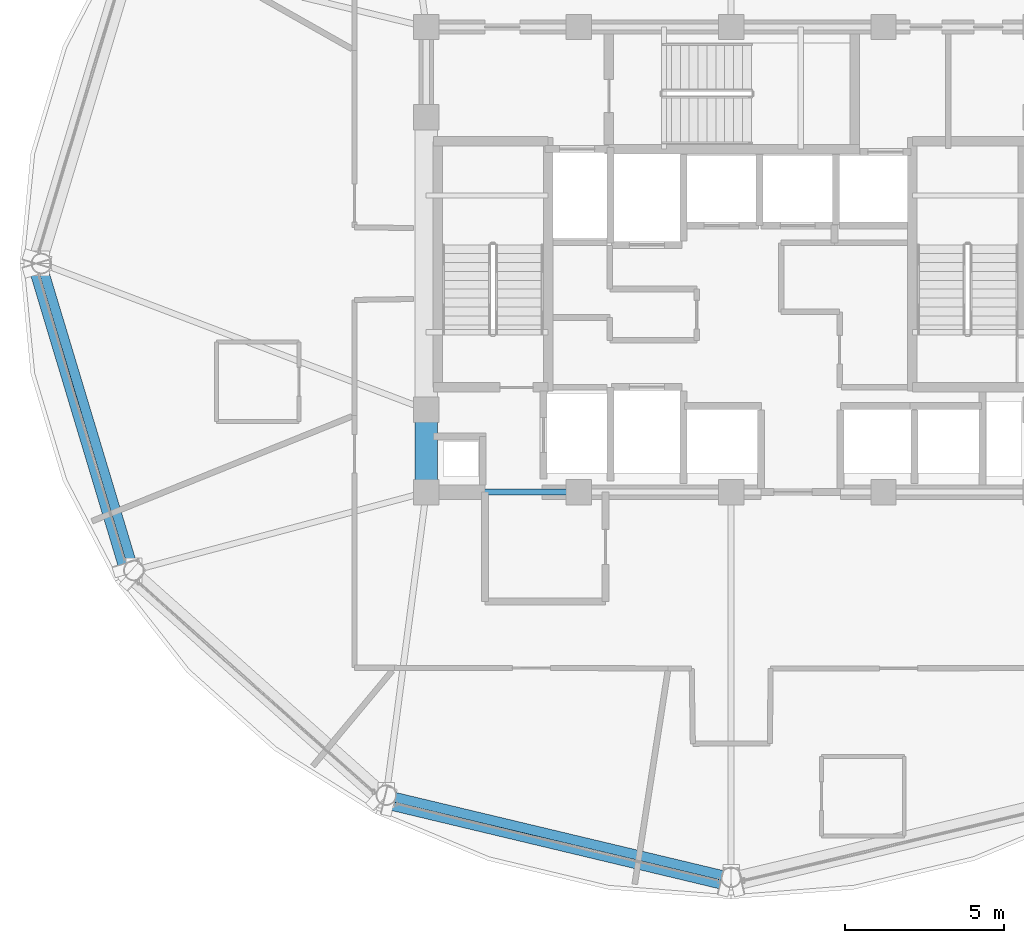
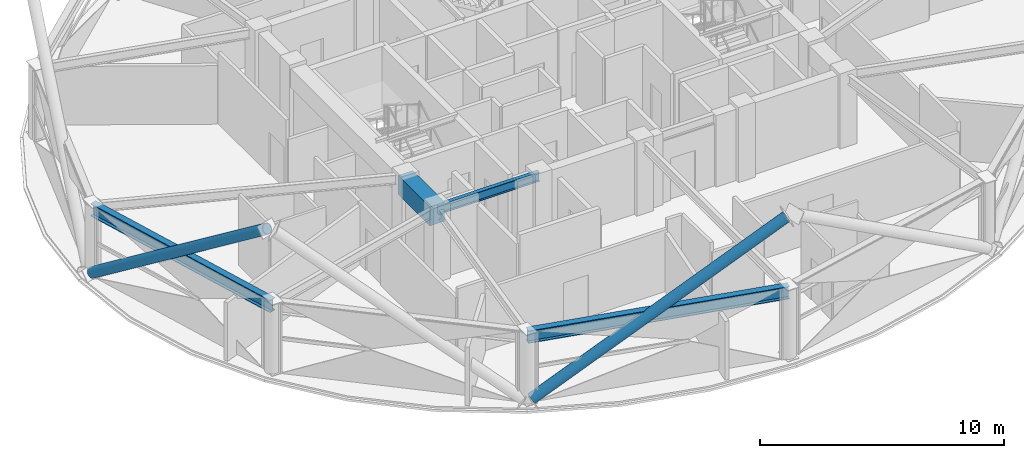
# One storey, part 4 of 28: 4 beams, 2 members.
"""IFC4 building model written with IfcOpenShell, lengths in metres."""

from ifc_helpers import new_model, si_unit, direction, frame, origin, origin_2d, place, context, subcontext, project, spatial, rectangle, hollow_circle, i_section, extrude, material, material_profile, profile_set, type_object, element, save


model = new_model("IFC4")

# Units and contexts
model_context = context("Model", 3, precision=1e-05, world=origin(), true_north=direction((0.0, 1.0)))
body_context = subcontext(model_context, "Body", "Model", "MODEL_VIEW")
ifc_project = project(units=[si_unit("LENGTHUNIT", "METRE"), si_unit("AREAUNIT", "SQUARE_METRE"), si_unit("VOLUMEUNIT", "CUBIC_METRE"), si_unit("PLANEANGLEUNIT", "RADIAN"), si_unit("MASSUNIT", "GRAM", prefix="KILO")], contexts=[model_context])

# Site, building, storey
site_placement = place(None, origin())
site = spatial("IfcSite", under=ifc_project, at=site_placement, CompositionType="ELEMENT")
building_placement = place(site_placement, origin())
building = spatial("IfcBuilding", under=site, at=building_placement, Name="Vantalir Tower", CompositionType="ELEMENT")
storey_placement = place(building_placement, frame((0.0, 0.0, 242.39990234375)))
storey = spatial("IfcBuildingStorey", under=building, at=storey_placement, Name="L61", CompositionType="ELEMENT", Elevation=242.39990234375)

# Beams
ifc_material_1 = material(Name="Concrete C60/75", Category="concrete")
ifc_material_profile_1 = material_profile(ifc_material_1, rectangle(XDim=0.699951171875, YDim=0.949951171875, at=origin_2d()), Name="Concrete C60/75")
ifc_profile_set_1 = profile_set([ifc_material_profile_1], Name="Concrete C60/75")
beam_type_1 = type_object("IfcBeamType", Name="BM-CB-700x950", PredefinedType="USERDEFINED", material=ifc_profile_set_1)
beam_1_placement = place(storey_placement, frame((21.89990234375, 20.39990234375, 3.09521484375), z_axis=(0.0, -1.0, 0.0), x_axis=(1.0, 0.0, 0.0)))
element("IfcBeam", 1, at=beam_1_placement, inside=storey, type_object=beam_type_1, Name="L61 Core Coupling Girder 14", ObjectType="GIRDER", PredefinedType="USERDEFINED", context=body_context, shape_type="SweptSolid", body=[
    extrude(rectangle(XDim=0.699951171875, YDim=0.949951171875, at=origin_2d()), origin(), (0.0, 0.0, 1.0), 2.599853515625),
])
ifc_material_2 = material(Name="Steel S355", Category="steel")
ifc_material_profile_2 = material_profile(ifc_material_2, i_section(OverallWidth=0.19189453125, OverallDepth=0.462890625, WebThickness=0.010498046875, FlangeThickness=0.017578125, at=origin_2d()), Name="Steel S355")
ifc_profile_set_2 = profile_set([ifc_material_profile_2], Name="Steel S355")
beam_type_2 = type_object("IfcBeamType", Name="BM-RB-457x191", PredefinedType="BEAM", material=ifc_profile_set_2)
beam_2_placement = place(storey_placement, frame((21.89990234375, 17.800048828125, 3.338134765625), z_axis=(1.0, 0.0, 0.0), x_axis=(0.0, 1.0, 0.0)))
element("IfcBeam", 2, at=beam_2_placement, inside=storey, type_object=beam_type_2, Name="L61 Core Coupling Girder 01", PredefinedType="BEAM", context=body_context, shape_type="SweptSolid", body=[
    extrude(i_section(OverallWidth=0.19189453125, OverallDepth=0.462890625, WebThickness=0.010498046875, FlangeThickness=0.017578125, at=origin_2d()), origin(), (0.0, 0.0, 1.0), 4.800048828125),
])
ifc_material_3 = material(Name="Steel S460", Category="steel")
ifc_material_profile_3 = material_profile(ifc_material_3, i_section(OverallWidth=0.306884765625, OverallDepth=0.6201171875, WebThickness=0.01416015625, FlangeThickness=0.023681640625, at=origin_2d()), Name="Steel S460")
ifc_profile_set_3 = profile_set([ifc_material_profile_3], Name="Steel S460")
beam_type_3 = type_object("IfcBeamType", Name="BM-RG-610x305", PredefinedType="USERDEFINED", material=ifc_profile_set_3)
beam_3_placement = place(storey_placement, frame((9.781982421875, 25.0, 3.260009765625), z_axis=(0.288239655449, -0.957558301633, 0.0), x_axis=(0.957558301633, 0.288239655449, 0.0)))
element("IfcBeam", 3, at=beam_3_placement, inside=storey, type_object=beam_type_3, Name="L61 Circumferential Ring Girder 07", ObjectType="GIRDER", PredefinedType="USERDEFINED", context=body_context, shape_type="SweptSolid", body=[
    extrude(i_section(OverallWidth=0.306884765625, OverallDepth=0.6201171875, WebThickness=0.01416015625, FlangeThickness=0.023681640625, at=origin_2d()), origin(), (0.0, 0.0, 1.0), 10.095458984375),
])
beam_4_placement = place(storey_placement, frame((20.64111328125, 8.257080078125, 3.260009765625), z_axis=(0.97271250926, -0.23201373737, 0.0), x_axis=(0.23201373737, 0.97271250926, 0.0)))
element("IfcBeam", 4, at=beam_4_placement, inside=storey, type_object=beam_type_3, Name="L61 Circumferential Ring Girder 09", ObjectType="GIRDER", PredefinedType="USERDEFINED", context=body_context, shape_type="SweptSolid", body=[
    extrude(i_section(OverallWidth=0.306884765625, OverallDepth=0.6201171875, WebThickness=0.01416015625, FlangeThickness=0.023681640625, at=origin_2d()), origin(), (0.0, 0.0, 1.0), 11.16357421875),
])

# Members
ifc_material_profile_4 = material_profile(ifc_material_3, hollow_circle(Radius=0.25, WallThickness=0.031982421875, at=origin_2d()), Name="Steel S460")
ifc_profile_set_4 = profile_set([ifc_material_profile_4], Name="Steel S460")
member_type = type_object("IfcMemberType", Name="MEM-DB-500x32", PredefinedType="BRACE", material=ifc_profile_set_4)
member_1_placement = place(storey_placement, frame((9.64404296875, 24.827880859375, 0.2060546875), z_axis=(0.235567399695, -0.783653674596, 0.574799894305), x_axis=(0.957667620828, 0.287876237327, 0.0)))
element("IfcMember", 5, at=member_1_placement, inside=storey, type_object=member_type, Name="L61 Perimeter S460 Diagrid Brace R19L", PredefinedType="BRACE", context=body_context, shape_type="SweptSolid", body=[
    extrude(hollow_circle(Radius=0.25, WallThickness=0.031982421875, at=origin_2d()), origin(), (0.0, 0.0, 1.0), 12.01806640625),
])
member_2_placement = place(storey_placement, frame((20.72705078125, 8.050048828125, 0.197998046875), z_axis=(0.820779852359, -0.196052589835, 0.536548055612), x_axis=(0.232325647217, 0.972638058913, 0.0)))
element("IfcMember", 6, at=member_2_placement, inside=storey, type_object=member_type, Name="L61 Perimeter S460 Diagrid Brace R25L", PredefinedType="BRACE", context=body_context, shape_type="SweptSolid", body=[
    extrude(hollow_circle(Radius=0.25, WallThickness=0.031982421875, at=origin_2d()), origin(), (0.0, 0.0, 1.0), 12.90478515625),
])

save(model, "model.ifc")
